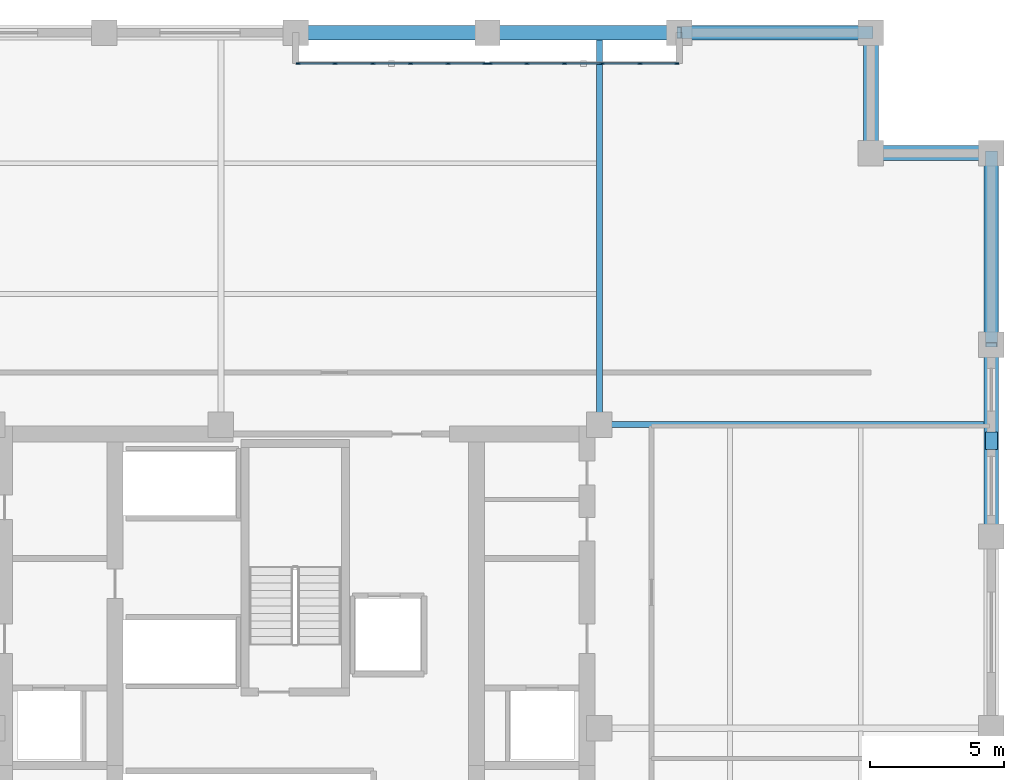
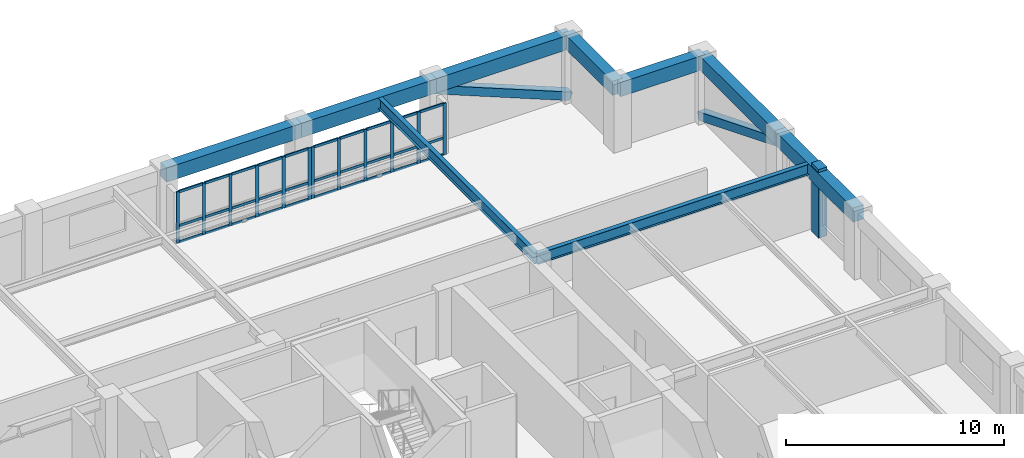
# One storey, part 2 of 11: 45 members, 9 beams, 2 elements without a shape of their own.
"""IFC4 building model written with IfcOpenShell, lengths in metres."""

import ifcopenshell
import ifcopenshell.guid

model = None  # the IFC model being written
_history = None  # IfcOwnerHistory: only IFC2X3 demands one
_inside = {}  # id of a spatial element -> (the spatial element, [elements in it])
_under = {}  # id of a project, library or spatial element -> (it, [spatial elements below it])
_declared = {}  # id of a project -> (the project, [libraries it declares])
_typed = {}  # id of a type object -> (the type object, [elements of that type])
_made_of = {}  # id of a material, layer set ... -> (it, [elements and type objects made of it])


def new_model(schema):
    """Start an empty IFC model of exactly this schema.

    Asked for "IFC4X3", IfcOpenShell would pick the latest addendum, in which some entities
    have other attributes; the version numbers below select the first issue.
    IFC2X3 requires an IfcOwnerHistory on every rooted entity: one is made here for all.
    """
    global model, _history
    if schema == "IFC4X3":
        model = ifcopenshell.file(schema_version=(4, 3, 0, 0))
    else:
        model = ifcopenshell.file(schema=schema)
    _inside.clear()
    _under.clear()
    _declared.clear()
    _typed.clear()
    _made_of.clear()
    _history = None
    if model.schema == "IFC2X3":
        org = make("IfcOrganization", Name="unknown")
        user = make(
            "IfcPersonAndOrganization",
            ThePerson=make("IfcPerson", FamilyName="unknown"),
            TheOrganization=org,
        )
        app = make(
            "IfcApplication",
            ApplicationDeveloper=org,
            Version="unknown",
            ApplicationFullName="unknown",
            ApplicationIdentifier="unknown",
        )
        _history = make(
            "IfcOwnerHistory",
            OwningUser=user,
            OwningApplication=app,
            ChangeAction="ADDED",
            CreationDate=0,
        )
    return model


def make(cls, **values):
    """One entity of the class cls with the attributes given. An attribute that is None is left unset."""
    return model.create_entity(
        cls, **{name: value for name, value in values.items() if value is not None}
    )


def rooted(cls, **values):
    """An entity with a GlobalId (a new one), such as an element, a storey or a relation."""
    return make(cls, GlobalId=ifcopenshell.guid.new(), OwnerHistory=_history, **values)


def si_unit(unit_type, name, prefix=None):
    """IfcSIUnit, for example si_unit("LENGTHUNIT", "METRE", prefix="MILLI")."""
    return make("IfcSIUnit", UnitType=unit_type, Prefix=prefix, Name=name)


def assignment(units):
    """IfcUnitAssignment: the units of a project."""
    return None if units is None else make("IfcUnitAssignment", Units=units)


def point(xyz):
    """IfcCartesianPoint."""
    return None if xyz is None else make("IfcCartesianPoint", Coordinates=xyz)


def direction(xyz):
    """IfcDirection."""
    return None if xyz is None else make("IfcDirection", DirectionRatios=xyz)


def frame(location, z_axis=None, x_axis=None):
    """IfcAxis2Placement3D, a coordinate frame: its origin and axes. An axis left out is left unset."""
    return make(
        "IfcAxis2Placement3D",
        Location=point(location),
        Axis=direction(z_axis),
        RefDirection=direction(x_axis),
    )


def frame_2d(location, x_axis=None):
    """IfcAxis2Placement2D, a coordinate frame in the plane: its origin and x axis."""
    return make(
        "IfcAxis2Placement2D", Location=point(location), RefDirection=direction(x_axis)
    )


def origin():
    """The frame at (0, 0, 0) with its axes left unset."""
    return frame((0.0, 0.0, 0.0))


def origin_2d():
    """The frame at (0, 0) in the plane with its x axis left unset."""
    return frame_2d((0.0, 0.0))


def place(relative_to, where):
    """IfcLocalPlacement: puts the frame where relative to a parent placement (None: the world)."""
    return make(
        "IfcLocalPlacement", PlacementRelTo=relative_to, RelativePlacement=where
    )


def context(
    kind, dimensions, precision=None, world=None, true_north=None, identifier=None
):
    """IfcGeometricRepresentationContext, for example the 3D "Model" context."""
    return make(
        "IfcGeometricRepresentationContext",
        ContextIdentifier=identifier,
        ContextType=kind,
        CoordinateSpaceDimension=dimensions,
        Precision=precision,
        WorldCoordinateSystem=world,
        TrueNorth=true_north,
    )


def subcontext(parent, identifier, kind, view, scale=None):
    """IfcGeometricRepresentationSubContext, for example "Body" below "Model"."""
    return make(
        "IfcGeometricRepresentationSubContext",
        ContextIdentifier=identifier,
        ContextType=kind,
        ParentContext=parent,
        TargetScale=scale,
        TargetView=view,
    )


def project(units=None, contexts=None):
    """IfcProject with its units and contexts."""
    return rooted(
        "IfcProject",
        Name="project",
        RepresentationContexts=contexts,
        UnitsInContext=assignment(units),
    )


def spatial(cls, under=None, at=None, **own):
    """A site, building, storey or space (cls), placed at a placement, below another one or the project."""
    s = rooted(cls, ObjectPlacement=at, **own)
    if under is not None:
        _under.setdefault(under.id(), (under, []))[1].append(s)
    return s


def profile(cls, at=None, kind="AREA", **sizes):
    """A parametric profile (cls). Its sizes go by their IFC names, for example OverallWidth=200.0."""
    return make(cls, ProfileType=kind, Position=at, **sizes)


def rectangle(**sizes):
    """IfcRectangleProfileDef."""
    return profile("IfcRectangleProfileDef", **sizes)


def hollow_rectangle(**sizes):
    """IfcRectangleHollowProfileDef."""
    return profile("IfcRectangleHollowProfileDef", **sizes)


def i_section(**sizes):
    """IfcIShapeProfileDef."""
    return profile("IfcIShapeProfileDef", **sizes)


def extrude(swept, where, along, depth):
    """IfcExtrudedAreaSolid: the profile swept, set in the frame where, extruded along a direction by depth."""
    return make(
        "IfcExtrudedAreaSolid",
        SweptArea=swept,
        Position=where,
        ExtrudedDirection=direction(along),
        Depth=depth,
    )


def shape(context_of_items, identifier, shape_type, items):
    """IfcShapeRepresentation: the items that make up one representation, for example the "Body"."""
    return make(
        "IfcShapeRepresentation",
        ContextOfItems=context_of_items,
        RepresentationIdentifier=identifier,
        RepresentationType=shape_type,
        Items=items,
    )


def material(Name=None, Category=None):
    """IfcMaterial."""
    return make("IfcMaterial", Name=Name, Category=Category)


def layer(
    of_material, thickness, ventilated=None, Name=None, Category=None, Priority=None
):
    """IfcMaterialLayer: one layer of a wall or slab, of a material (None: an air gap)."""
    return make(
        "IfcMaterialLayer",
        Material=of_material,
        LayerThickness=thickness,
        IsVentilated=ventilated,
        Name=Name,
        Category=Category,
        Priority=Priority,
    )


def layer_set(layers, Name=None):
    """IfcMaterialLayerSet."""
    return make("IfcMaterialLayerSet", MaterialLayers=layers, LayerSetName=Name)


def material_profile(
    of_material, cross_section, Name=None, Category=None, Priority=None
):
    """IfcMaterialProfile: a cross section and its material."""
    return make(
        "IfcMaterialProfile",
        Name=Name,
        Material=of_material,
        Profile=cross_section,
        Priority=Priority,
        Category=Category,
    )


def profile_set(profiles, Name=None, composite=None):
    """IfcMaterialProfileSet."""
    return make(
        "IfcMaterialProfileSet",
        Name=Name,
        MaterialProfiles=profiles,
        CompositeProfile=composite,
    )


def made_of(thing, what):
    """Note that an element or type object is made of a material, layer set ...; save() writes the relation."""
    if what is not None:
        _made_of.setdefault(what.id(), (what, []))[1].append(thing)
    return thing


def type_object(cls, material=None, **own):
    """A type object (cls), such as IfcWallType, which elements share."""
    return made_of(rooted(cls, **own), material)


def element(
    cls,
    number,
    at=None,
    inside=None,
    cuts=None,
    type_object=None,
    material=None,
    context=None,
    identifier="Body",
    shape_type=None,
    held_by="IfcProductDefinitionShape",
    body=None,
    shapes=None,
    **own,
):
    """One element of the class cls, such as IfcWall. Its Tag is "e" and its number.

    at: its placement. inside: the storey or other place that contains it. cuts: it is an
    opening in that element (IfcRelVoidsElement). A single representation is given by context,
    identifier, shape_type and body (its items); several are given by shapes. held_by: the class
    of the entity that holds the representations. save() writes the other relations.
    """
    e = rooted(cls, Tag="e%d" % number, ObjectPlacement=at, **own)
    if body is not None:
        shapes = [shape(context, identifier, shape_type, body)]
    if shapes is not None:
        e.Representation = make(held_by, Representations=shapes)
    if inside is not None:
        _inside.setdefault(inside.id(), (inside, []))[1].append(e)
    if cuts is not None:
        rooted(
            "IfcRelVoidsElement", RelatingBuildingElement=cuts, RelatedOpeningElement=e
        )
    if type_object is not None:
        _typed.setdefault(type_object.id(), (type_object, []))[1].append(e)
    return made_of(e, material)


def aggregate(whole, parts):
    """IfcRelAggregates: a whole, such as a stair, and the parts it consists of."""
    return rooted("IfcRelAggregates", RelatingObject=whole, RelatedObjects=parts)


def save(model, path):
    """Write the relations noted so far, then the file.

    IfcRelAggregates (storeys below a building ...), IfcRelContainedInSpatialStructure (elements
    in a storey), IfcRelDefinesByType, IfcRelAssociatesMaterial and IfcRelDeclares: one each for
    every whole, place, type object, material and project.
    """
    for whole, parts in _under.values():
        aggregate(whole, parts)
    for where, things in _inside.values():
        rooted(
            "IfcRelContainedInSpatialStructure",
            RelatedElements=things,
            RelatingStructure=where,
        )
    for kind, things in _typed.values():
        rooted("IfcRelDefinesByType", RelatedObjects=things, RelatingType=kind)
    for what, things in _made_of.values():
        rooted("IfcRelAssociatesMaterial", RelatedObjects=things, RelatingMaterial=what)
    for by, libraries in _declared.values():
        rooted("IfcRelDeclares", RelatingContext=by, RelatedDefinitions=libraries)
    model.write(path)


model = new_model("IFC4")

# Units and contexts
model_context = context("Model", 3, precision=1e-05, world=origin(), true_north=direction((0.0, 1.0)))
body_context = subcontext(model_context, "Body", "Model", "MODEL_VIEW")
ifc_project = project(units=[si_unit("LENGTHUNIT", "METRE"), si_unit("AREAUNIT", "SQUARE_METRE"), si_unit("VOLUMEUNIT", "CUBIC_METRE"), si_unit("PLANEANGLEUNIT", "RADIAN"), si_unit("MASSUNIT", "GRAM", prefix="KILO")], contexts=[model_context])

# Site, building, storey
site_placement = place(None, origin())
site = spatial("IfcSite", under=ifc_project, at=site_placement, CompositionType="ELEMENT")
building_placement = place(site_placement, origin())
building = spatial("IfcBuilding", under=site, at=building_placement, Name="Nhamokura Convention Tower", CompositionType="ELEMENT")
storey_placement = place(building_placement, frame((0.0, 0.0, 133.699951171875)))
storey = spatial("IfcBuildingStorey", under=building, at=storey_placement, Name="L32", CompositionType="ELEMENT", Elevation=133.699951171875)

# Member
ifc_material_1 = material(Name="Bronze-pigmented precast concrete C45/55", Category="concrete")
ifc_material_profile_1 = material_profile(ifc_material_1, rectangle(XDim=0.449951171875, YDim=0.64990234375, at=origin_2d()))
ifc_profile_set_1 = profile_set([ifc_material_profile_1], Name="Bronze-pigmented precast concrete C45/55")
member_type_1 = type_object("IfcMemberType", Name="BronzePilaster_650", PredefinedType="USERDEFINED", material=ifc_profile_set_1)
member_1_placement = place(storey_placement, frame((58.0, 42.75, 0.0), z_axis=(0.0, 0.0, 1.0), x_axis=(1.0, 0.0, 0.0)))
element("IfcMember", 1, at=member_1_placement, inside=storey, type_object=member_type_1, Name="L32 Engaged Frame Pilaster EAST 4", ObjectType="PILASTER_TRIM", PredefinedType="USERDEFINED", context=body_context, shape_type="SweptSolid", body=[
    extrude(rectangle(XDim=0.449951171875, YDim=0.64990234375, at=origin_2d()), origin(), (0.0, 0.0, 1.0), 3.85009765625),
])

# Curtain wall, members
ifc_material_2 = material(Name="Anodised bronze aluminium AA6063-T6", Category="aluminium")
ifc_layer = layer(ifc_material_2, 0.159912109375)
ifc_layer_set = layer_set([ifc_layer], Name="CWSystem_ScaleSlot_Zone2")
curtain_wall_type = type_object("IfcCurtainWallType", Name="CWSystem_ScaleSlot_Zone2", PredefinedType="NOTDEFINED", material=ifc_layer_set)
curtain_wall_1_placement = place(storey_placement, origin())
curtain_wall_1 = element("IfcCurtainWall", 2, at=curtain_wall_1_placement, inside=storey, type_object=curtain_wall_type, Name="L32 Curtain Wall ENV-L32-SLOT-N3", PredefinedType="NOTDEFINED")
ifc_material_3 = material(Name="Anodised bronze aluminium AA6063-T6", Category="aluminium")
ifc_material_profile_2 = material_profile(ifc_material_3, rectangle(XDim=0.06494140625, YDim=0.1650390625, at=origin_2d()))
ifc_profile_set_2 = profile_set([ifc_material_profile_2], Name="Anodised bronze aluminium AA6063-T6")
member_type_2 = type_object("IfcMemberType", Name="CWMullion_3", PredefinedType="MULLION", material=ifc_profile_set_2)
member_2_placement = place(storey_placement, frame((32.092529296875, 56.85009765625, 0.0), z_axis=(0.0, 0.0, 1.0), x_axis=(0.0, 1.0, 0.0)))
member_2 = element("IfcMember", 3, at=member_2_placement, type_object=member_type_2, Name="CW-04 mullion 1", PredefinedType="MULLION", context=body_context, shape_type="SweptSolid", body=[
    extrude(rectangle(XDim=0.06494140625, YDim=0.1650390625, at=origin_2d()), origin(), (0.0, 0.0, 1.0), 2.885009765625),
])
member_3_placement = place(storey_placement, frame((33.46923828125, 56.85009765625, 0.0), z_axis=(0.0, 0.0, 1.0), x_axis=(0.0, 1.0, 0.0)))
member_3 = element("IfcMember", 4, at=member_3_placement, type_object=member_type_2, Name="CW-04 mullion 2", PredefinedType="MULLION", context=body_context, shape_type="SweptSolid", body=[
    extrude(rectangle(XDim=0.06494140625, YDim=0.1650390625, at=origin_2d()), origin(), (0.0, 0.0, 1.0), 2.885009765625),
])
member_4_placement = place(storey_placement, frame((34.878662109375, 56.85009765625, 0.0), z_axis=(0.0, 0.0, 1.0), x_axis=(0.0, 1.0, 0.0)))
member_4 = element("IfcMember", 5, at=member_4_placement, type_object=member_type_2, Name="CW-04 mullion 3", PredefinedType="MULLION", context=body_context, shape_type="SweptSolid", body=[
    extrude(rectangle(XDim=0.06494140625, YDim=0.1650390625, at=origin_2d()), origin(), (0.0, 0.0, 1.0), 2.885009765625),
])
member_5_placement = place(storey_placement, frame((36.2880859375, 56.85009765625, 0.0), z_axis=(0.0, 0.0, 1.0), x_axis=(0.0, 1.0, 0.0)))
member_5 = element("IfcMember", 6, at=member_5_placement, type_object=member_type_2, Name="CW-04 mullion 4", PredefinedType="MULLION", context=body_context, shape_type="SweptSolid", body=[
    extrude(rectangle(XDim=0.06494140625, YDim=0.1650390625, at=origin_2d()), origin(), (0.0, 0.0, 1.0), 2.885009765625),
])
member_6_placement = place(storey_placement, frame((37.697265625, 56.85009765625, 0.0), z_axis=(0.0, 0.0, 1.0), x_axis=(0.0, 1.0, 0.0)))
member_6 = element("IfcMember", 7, at=member_6_placement, type_object=member_type_2, Name="CW-04 mullion 5", PredefinedType="MULLION", context=body_context, shape_type="SweptSolid", body=[
    extrude(rectangle(XDim=0.06494140625, YDim=0.1650390625, at=origin_2d()), origin(), (0.0, 0.0, 1.0), 2.885009765625),
])
member_7_placement = place(storey_placement, frame((39.07421875, 56.85009765625, 0.0), z_axis=(0.0, 0.0, 1.0), x_axis=(0.0, 1.0, 0.0)))
member_7 = element("IfcMember", 8, at=member_7_placement, type_object=member_type_2, Name="CW-04 mullion 6", PredefinedType="MULLION", context=body_context, shape_type="SweptSolid", body=[
    extrude(rectangle(XDim=0.06494140625, YDim=0.1650390625, at=origin_2d()), origin(), (0.0, 0.0, 1.0), 2.885009765625),
])

curtain_wall_2_placement = place(storey_placement, origin())
curtain_wall_2 = element("IfcCurtainWall", 9, at=curtain_wall_2_placement, inside=storey, type_object=curtain_wall_type, Name="L32 Curtain Wall ENV-L32-SLOT-N4", PredefinedType="NOTDEFINED")
member_8_placement = place(storey_placement, frame((39.25927734375, 56.85009765625, 0.0), z_axis=(0.0, 0.0, 1.0), x_axis=(0.0, 1.0, 0.0)))
member_8 = element("IfcMember", 10, at=member_8_placement, type_object=member_type_2, Name="CW-04 mullion 1", PredefinedType="MULLION", context=body_context, shape_type="SweptSolid", body=[
    extrude(rectangle(XDim=0.06494140625, YDim=0.1650390625, at=origin_2d()), origin(), (0.0, 0.0, 1.0), 2.885009765625),
])
member_9_placement = place(storey_placement, frame((40.635986328125, 56.85009765625, 0.0), z_axis=(0.0, 0.0, 1.0), x_axis=(0.0, 1.0, 0.0)))
member_9 = element("IfcMember", 11, at=member_9_placement, type_object=member_type_2, Name="CW-04 mullion 2", PredefinedType="MULLION", context=body_context, shape_type="SweptSolid", body=[
    extrude(rectangle(XDim=0.06494140625, YDim=0.1650390625, at=origin_2d()), origin(), (0.0, 0.0, 1.0), 2.885009765625),
])
member_10_placement = place(storey_placement, frame((42.04541015625, 56.85009765625, 0.0), z_axis=(0.0, 0.0, 1.0), x_axis=(0.0, 1.0, 0.0)))
member_10 = element("IfcMember", 12, at=member_10_placement, type_object=member_type_2, Name="CW-04 mullion 3", PredefinedType="MULLION", context=body_context, shape_type="SweptSolid", body=[
    extrude(rectangle(XDim=0.06494140625, YDim=0.1650390625, at=origin_2d()), origin(), (0.0, 0.0, 1.0), 2.885009765625),
])
member_11_placement = place(storey_placement, frame((43.45458984375, 56.85009765625, 0.0), z_axis=(0.0, 0.0, 1.0), x_axis=(0.0, 1.0, 0.0)))
member_11 = element("IfcMember", 13, at=member_11_placement, type_object=member_type_2, Name="CW-04 mullion 4", PredefinedType="MULLION", context=body_context, shape_type="SweptSolid", body=[
    extrude(rectangle(XDim=0.06494140625, YDim=0.1650390625, at=origin_2d()), origin(), (0.0, 0.0, 1.0), 2.885009765625),
])
member_12_placement = place(storey_placement, frame((44.864013671875, 56.85009765625, 0.0), z_axis=(0.0, 0.0, 1.0), x_axis=(0.0, 1.0, 0.0)))
member_12 = element("IfcMember", 14, at=member_12_placement, type_object=member_type_2, Name="CW-04 mullion 5", PredefinedType="MULLION", context=body_context, shape_type="SweptSolid", body=[
    extrude(rectangle(XDim=0.06494140625, YDim=0.1650390625, at=origin_2d()), origin(), (0.0, 0.0, 1.0), 2.885009765625),
])
member_13_placement = place(storey_placement, frame((46.24072265625, 56.85009765625, 0.0), z_axis=(0.0, 0.0, 1.0), x_axis=(0.0, 1.0, 0.0)))
member_13 = element("IfcMember", 15, at=member_13_placement, type_object=member_type_2, Name="CW-04 mullion 6", PredefinedType="MULLION", context=body_context, shape_type="SweptSolid", body=[
    extrude(rectangle(XDim=0.06494140625, YDim=0.1650390625, at=origin_2d()), origin(), (0.0, 0.0, 1.0), 2.885009765625),
])

# Member
ifc_material_4 = material(Name="Anodised bronze aluminium AA6063-T6", Category="aluminium")
ifc_material_profile_3 = material_profile(ifc_material_4, rectangle(XDim=0.06494140625, YDim=0.139892578125, at=origin_2d()))
ifc_profile_set_3 = profile_set([ifc_material_profile_3], Name="Anodised bronze aluminium AA6063-T6")
member_type_3 = type_object("IfcMemberType", Name="CWTransom_3", PredefinedType="USERDEFINED", material=ifc_profile_set_3)
member_14_placement = place(storey_placement, frame((32.125, 56.85009765625, 0.032470703125), z_axis=(1.0, 0.0, 0.0), x_axis=(0.0, 1.0, 0.0)))
member_14 = element("IfcMember", 16, at=member_14_placement, type_object=member_type_3, Name="CW-04 transom 1.1", ObjectType="TRANSOM", PredefinedType="USERDEFINED", context=body_context, shape_type="SweptSolid", body=[
    extrude(rectangle(XDim=0.06494140625, YDim=0.139892578125, at=origin_2d()), origin(), (0.0, 0.0, 1.0), 1.311767578125),
])

member_15_placement = place(storey_placement, frame((32.125, 56.85009765625, 0.949951171875), z_axis=(1.0, 0.0, 0.0), x_axis=(0.0, 1.0, 0.0)))
member_15 = element("IfcMember", 17, at=member_15_placement, type_object=member_type_3, Name="CW-04 transom 1.2", ObjectType="TRANSOM", PredefinedType="USERDEFINED", context=body_context, shape_type="SweptSolid", body=[
    extrude(rectangle(XDim=0.06494140625, YDim=0.139892578125, at=origin_2d()), origin(), (0.0, 0.0, 1.0), 1.311767578125),
])

member_16_placement = place(storey_placement, frame((32.125, 56.85009765625, 2.8525390625), z_axis=(1.0, 0.0, 0.0), x_axis=(0.0, 1.0, 0.0)))
member_16 = element("IfcMember", 18, at=member_16_placement, type_object=member_type_3, Name="CW-04 transom 1.3", ObjectType="TRANSOM", PredefinedType="USERDEFINED", context=body_context, shape_type="SweptSolid", body=[
    extrude(rectangle(XDim=0.06494140625, YDim=0.139892578125, at=origin_2d()), origin(), (0.0, 0.0, 1.0), 1.311767578125),
])

member_17_placement = place(storey_placement, frame((33.501953125, 56.85009765625, 0.032470703125), z_axis=(1.0, 0.0, 0.0), x_axis=(0.0, 1.0, 0.0)))
member_17 = element("IfcMember", 19, at=member_17_placement, type_object=member_type_3, Name="CW-04 transom 2.1", ObjectType="TRANSOM", PredefinedType="USERDEFINED", context=body_context, shape_type="SweptSolid", body=[
    extrude(rectangle(XDim=0.06494140625, YDim=0.139892578125, at=origin_2d()), origin(), (0.0, 0.0, 1.0), 1.34423828125),
])

member_18_placement = place(storey_placement, frame((33.501953125, 56.85009765625, 0.949951171875), z_axis=(1.0, 0.0, 0.0), x_axis=(0.0, 1.0, 0.0)))
member_18 = element("IfcMember", 20, at=member_18_placement, type_object=member_type_3, Name="CW-04 transom 2.2", ObjectType="TRANSOM", PredefinedType="USERDEFINED", context=body_context, shape_type="SweptSolid", body=[
    extrude(rectangle(XDim=0.06494140625, YDim=0.139892578125, at=origin_2d()), origin(), (0.0, 0.0, 1.0), 1.34423828125),
])

member_19_placement = place(storey_placement, frame((33.501953125, 56.85009765625, 2.8525390625), z_axis=(1.0, 0.0, 0.0), x_axis=(0.0, 1.0, 0.0)))
member_19 = element("IfcMember", 21, at=member_19_placement, type_object=member_type_3, Name="CW-04 transom 2.3", ObjectType="TRANSOM", PredefinedType="USERDEFINED", context=body_context, shape_type="SweptSolid", body=[
    extrude(rectangle(XDim=0.06494140625, YDim=0.139892578125, at=origin_2d()), origin(), (0.0, 0.0, 1.0), 1.34423828125),
])

member_20_placement = place(storey_placement, frame((34.9111328125, 56.85009765625, 0.032470703125), z_axis=(1.0, 0.0, 0.0), x_axis=(0.0, 1.0, 0.0)))
member_20 = element("IfcMember", 22, at=member_20_placement, type_object=member_type_3, Name="CW-04 transom 3.1", ObjectType="TRANSOM", PredefinedType="USERDEFINED", context=body_context, shape_type="SweptSolid", body=[
    extrude(rectangle(XDim=0.06494140625, YDim=0.139892578125, at=origin_2d()), origin(), (0.0, 0.0, 1.0), 1.344482421875),
])

member_21_placement = place(storey_placement, frame((34.9111328125, 56.85009765625, 0.949951171875), z_axis=(1.0, 0.0, 0.0), x_axis=(0.0, 1.0, 0.0)))
member_21 = element("IfcMember", 23, at=member_21_placement, type_object=member_type_3, Name="CW-04 transom 3.2", ObjectType="TRANSOM", PredefinedType="USERDEFINED", context=body_context, shape_type="SweptSolid", body=[
    extrude(rectangle(XDim=0.06494140625, YDim=0.139892578125, at=origin_2d()), origin(), (0.0, 0.0, 1.0), 1.344482421875),
])

member_22_placement = place(storey_placement, frame((34.9111328125, 56.85009765625, 2.8525390625), z_axis=(1.0, 0.0, 0.0), x_axis=(0.0, 1.0, 0.0)))
member_22 = element("IfcMember", 24, at=member_22_placement, type_object=member_type_3, Name="CW-04 transom 3.3", ObjectType="TRANSOM", PredefinedType="USERDEFINED", context=body_context, shape_type="SweptSolid", body=[
    extrude(rectangle(XDim=0.06494140625, YDim=0.139892578125, at=origin_2d()), origin(), (0.0, 0.0, 1.0), 1.344482421875),
])

member_23_placement = place(storey_placement, frame((36.320556640625, 56.85009765625, 0.032470703125), z_axis=(1.0, 0.0, 0.0), x_axis=(0.0, 1.0, 0.0)))
member_23 = element("IfcMember", 25, at=member_23_placement, type_object=member_type_3, Name="CW-04 transom 4.1", ObjectType="TRANSOM", PredefinedType="USERDEFINED", context=body_context, shape_type="SweptSolid", body=[
    extrude(rectangle(XDim=0.06494140625, YDim=0.139892578125, at=origin_2d()), origin(), (0.0, 0.0, 1.0), 1.34423828125),
])

member_24_placement = place(storey_placement, frame((36.320556640625, 56.85009765625, 0.949951171875), z_axis=(1.0, 0.0, 0.0), x_axis=(0.0, 1.0, 0.0)))
member_24 = element("IfcMember", 26, at=member_24_placement, type_object=member_type_3, Name="CW-04 transom 4.2", ObjectType="TRANSOM", PredefinedType="USERDEFINED", context=body_context, shape_type="SweptSolid", body=[
    extrude(rectangle(XDim=0.06494140625, YDim=0.139892578125, at=origin_2d()), origin(), (0.0, 0.0, 1.0), 1.34423828125),
])

member_25_placement = place(storey_placement, frame((36.320556640625, 56.85009765625, 2.8525390625), z_axis=(1.0, 0.0, 0.0), x_axis=(0.0, 1.0, 0.0)))
member_25 = element("IfcMember", 27, at=member_25_placement, type_object=member_type_3, Name="CW-04 transom 4.3", ObjectType="TRANSOM", PredefinedType="USERDEFINED", context=body_context, shape_type="SweptSolid", body=[
    extrude(rectangle(XDim=0.06494140625, YDim=0.139892578125, at=origin_2d()), origin(), (0.0, 0.0, 1.0), 1.34423828125),
])

member_26_placement = place(storey_placement, frame((37.72998046875, 56.85009765625, 0.032470703125), z_axis=(1.0, 0.0, 0.0), x_axis=(0.0, 1.0, 0.0)))
member_26 = element("IfcMember", 28, at=member_26_placement, type_object=member_type_3, Name="CW-04 transom 5.1", ObjectType="TRANSOM", PredefinedType="USERDEFINED", context=body_context, shape_type="SweptSolid", body=[
    extrude(rectangle(XDim=0.06494140625, YDim=0.139892578125, at=origin_2d()), origin(), (0.0, 0.0, 1.0), 1.311767578125),
])

member_27_placement = place(storey_placement, frame((37.72998046875, 56.85009765625, 0.949951171875), z_axis=(1.0, 0.0, 0.0), x_axis=(0.0, 1.0, 0.0)))
member_27 = element("IfcMember", 29, at=member_27_placement, type_object=member_type_3, Name="CW-04 transom 5.2", ObjectType="TRANSOM", PredefinedType="USERDEFINED", context=body_context, shape_type="SweptSolid", body=[
    extrude(rectangle(XDim=0.06494140625, YDim=0.139892578125, at=origin_2d()), origin(), (0.0, 0.0, 1.0), 1.311767578125),
])

member_28_placement = place(storey_placement, frame((37.72998046875, 56.85009765625, 2.8525390625), z_axis=(1.0, 0.0, 0.0), x_axis=(0.0, 1.0, 0.0)))
member_28 = element("IfcMember", 30, at=member_28_placement, type_object=member_type_3, Name="CW-04 transom 5.3", ObjectType="TRANSOM", PredefinedType="USERDEFINED", context=body_context, shape_type="SweptSolid", body=[
    extrude(rectangle(XDim=0.06494140625, YDim=0.139892578125, at=origin_2d()), origin(), (0.0, 0.0, 1.0), 1.311767578125),
])

aggregate(curtain_wall_1, [member_2, member_3, member_4, member_5, member_6, member_7, member_14, member_15, member_16, member_17, member_18, member_19, member_20, member_21, member_22, member_23, member_24, member_25, member_26, member_27, member_28])

member_29_placement = place(storey_placement, frame((39.291748046875, 56.85009765625, 0.032470703125), z_axis=(1.0, 0.0, 0.0), x_axis=(0.0, 1.0, 0.0)))
member_29 = element("IfcMember", 31, at=member_29_placement, type_object=member_type_3, Name="CW-04 transom 1.1", ObjectType="TRANSOM", PredefinedType="USERDEFINED", context=body_context, shape_type="SweptSolid", body=[
    extrude(rectangle(XDim=0.06494140625, YDim=0.139892578125, at=origin_2d()), origin(), (0.0, 0.0, 1.0), 1.311767578125),
])

member_30_placement = place(storey_placement, frame((39.291748046875, 56.85009765625, 0.949951171875), z_axis=(1.0, 0.0, 0.0), x_axis=(0.0, 1.0, 0.0)))
member_30 = element("IfcMember", 32, at=member_30_placement, type_object=member_type_3, Name="CW-04 transom 1.2", ObjectType="TRANSOM", PredefinedType="USERDEFINED", context=body_context, shape_type="SweptSolid", body=[
    extrude(rectangle(XDim=0.06494140625, YDim=0.139892578125, at=origin_2d()), origin(), (0.0, 0.0, 1.0), 1.311767578125),
])

member_31_placement = place(storey_placement, frame((39.291748046875, 56.85009765625, 2.8525390625), z_axis=(1.0, 0.0, 0.0), x_axis=(0.0, 1.0, 0.0)))
member_31 = element("IfcMember", 33, at=member_31_placement, type_object=member_type_3, Name="CW-04 transom 1.3", ObjectType="TRANSOM", PredefinedType="USERDEFINED", context=body_context, shape_type="SweptSolid", body=[
    extrude(rectangle(XDim=0.06494140625, YDim=0.139892578125, at=origin_2d()), origin(), (0.0, 0.0, 1.0), 1.311767578125),
])

member_32_placement = place(storey_placement, frame((40.66845703125, 56.85009765625, 0.032470703125), z_axis=(1.0, 0.0, 0.0), x_axis=(0.0, 1.0, 0.0)))
member_32 = element("IfcMember", 34, at=member_32_placement, type_object=member_type_3, Name="CW-04 transom 2.1", ObjectType="TRANSOM", PredefinedType="USERDEFINED", context=body_context, shape_type="SweptSolid", body=[
    extrude(rectangle(XDim=0.06494140625, YDim=0.139892578125, at=origin_2d()), origin(), (0.0, 0.0, 1.0), 1.344482421875),
])

member_33_placement = place(storey_placement, frame((40.66845703125, 56.85009765625, 0.949951171875), z_axis=(1.0, 0.0, 0.0), x_axis=(0.0, 1.0, 0.0)))
member_33 = element("IfcMember", 35, at=member_33_placement, type_object=member_type_3, Name="CW-04 transom 2.2", ObjectType="TRANSOM", PredefinedType="USERDEFINED", context=body_context, shape_type="SweptSolid", body=[
    extrude(rectangle(XDim=0.06494140625, YDim=0.139892578125, at=origin_2d()), origin(), (0.0, 0.0, 1.0), 1.344482421875),
])

member_34_placement = place(storey_placement, frame((40.66845703125, 56.85009765625, 2.8525390625), z_axis=(1.0, 0.0, 0.0), x_axis=(0.0, 1.0, 0.0)))
member_34 = element("IfcMember", 36, at=member_34_placement, type_object=member_type_3, Name="CW-04 transom 2.3", ObjectType="TRANSOM", PredefinedType="USERDEFINED", context=body_context, shape_type="SweptSolid", body=[
    extrude(rectangle(XDim=0.06494140625, YDim=0.139892578125, at=origin_2d()), origin(), (0.0, 0.0, 1.0), 1.344482421875),
])

member_35_placement = place(storey_placement, frame((42.077880859375, 56.85009765625, 0.032470703125), z_axis=(1.0, 0.0, 0.0), x_axis=(0.0, 1.0, 0.0)))
member_35 = element("IfcMember", 37, at=member_35_placement, type_object=member_type_3, Name="CW-04 transom 3.1", ObjectType="TRANSOM", PredefinedType="USERDEFINED", context=body_context, shape_type="SweptSolid", body=[
    extrude(rectangle(XDim=0.06494140625, YDim=0.139892578125, at=origin_2d()), origin(), (0.0, 0.0, 1.0), 1.34423828125),
])

member_36_placement = place(storey_placement, frame((42.077880859375, 56.85009765625, 0.949951171875), z_axis=(1.0, 0.0, 0.0), x_axis=(0.0, 1.0, 0.0)))
member_36 = element("IfcMember", 38, at=member_36_placement, type_object=member_type_3, Name="CW-04 transom 3.2", ObjectType="TRANSOM", PredefinedType="USERDEFINED", context=body_context, shape_type="SweptSolid", body=[
    extrude(rectangle(XDim=0.06494140625, YDim=0.139892578125, at=origin_2d()), origin(), (0.0, 0.0, 1.0), 1.34423828125),
])

member_37_placement = place(storey_placement, frame((42.077880859375, 56.85009765625, 2.8525390625), z_axis=(1.0, 0.0, 0.0), x_axis=(0.0, 1.0, 0.0)))
member_37 = element("IfcMember", 39, at=member_37_placement, type_object=member_type_3, Name="CW-04 transom 3.3", ObjectType="TRANSOM", PredefinedType="USERDEFINED", context=body_context, shape_type="SweptSolid", body=[
    extrude(rectangle(XDim=0.06494140625, YDim=0.139892578125, at=origin_2d()), origin(), (0.0, 0.0, 1.0), 1.34423828125),
])

member_38_placement = place(storey_placement, frame((43.487060546875, 56.85009765625, 0.032470703125), z_axis=(1.0, 0.0, 0.0), x_axis=(0.0, 1.0, 0.0)))
member_38 = element("IfcMember", 40, at=member_38_placement, type_object=member_type_3, Name="CW-04 transom 4.1", ObjectType="TRANSOM", PredefinedType="USERDEFINED", context=body_context, shape_type="SweptSolid", body=[
    extrude(rectangle(XDim=0.06494140625, YDim=0.139892578125, at=origin_2d()), origin(), (0.0, 0.0, 1.0), 1.344482421875),
])

member_39_placement = place(storey_placement, frame((43.487060546875, 56.85009765625, 0.949951171875), z_axis=(1.0, 0.0, 0.0), x_axis=(0.0, 1.0, 0.0)))
member_39 = element("IfcMember", 41, at=member_39_placement, type_object=member_type_3, Name="CW-04 transom 4.2", ObjectType="TRANSOM", PredefinedType="USERDEFINED", context=body_context, shape_type="SweptSolid", body=[
    extrude(rectangle(XDim=0.06494140625, YDim=0.139892578125, at=origin_2d()), origin(), (0.0, 0.0, 1.0), 1.344482421875),
])

member_40_placement = place(storey_placement, frame((43.487060546875, 56.85009765625, 2.8525390625), z_axis=(1.0, 0.0, 0.0), x_axis=(0.0, 1.0, 0.0)))
member_40 = element("IfcMember", 42, at=member_40_placement, type_object=member_type_3, Name="CW-04 transom 4.3", ObjectType="TRANSOM", PredefinedType="USERDEFINED", context=body_context, shape_type="SweptSolid", body=[
    extrude(rectangle(XDim=0.06494140625, YDim=0.139892578125, at=origin_2d()), origin(), (0.0, 0.0, 1.0), 1.344482421875),
])

member_41_placement = place(storey_placement, frame((44.896484375, 56.85009765625, 0.032470703125), z_axis=(1.0, 0.0, 0.0), x_axis=(0.0, 1.0, 0.0)))
member_41 = element("IfcMember", 43, at=member_41_placement, type_object=member_type_3, Name="CW-04 transom 5.1", ObjectType="TRANSOM", PredefinedType="USERDEFINED", context=body_context, shape_type="SweptSolid", body=[
    extrude(rectangle(XDim=0.06494140625, YDim=0.139892578125, at=origin_2d()), origin(), (0.0, 0.0, 1.0), 1.311767578125),
])

member_42_placement = place(storey_placement, frame((44.896484375, 56.85009765625, 0.949951171875), z_axis=(1.0, 0.0, 0.0), x_axis=(0.0, 1.0, 0.0)))
member_42 = element("IfcMember", 44, at=member_42_placement, type_object=member_type_3, Name="CW-04 transom 5.2", ObjectType="TRANSOM", PredefinedType="USERDEFINED", context=body_context, shape_type="SweptSolid", body=[
    extrude(rectangle(XDim=0.06494140625, YDim=0.139892578125, at=origin_2d()), origin(), (0.0, 0.0, 1.0), 1.311767578125),
])

member_43_placement = place(storey_placement, frame((44.896484375, 56.85009765625, 2.8525390625), z_axis=(1.0, 0.0, 0.0), x_axis=(0.0, 1.0, 0.0)))
member_43 = element("IfcMember", 45, at=member_43_placement, type_object=member_type_3, Name="CW-04 transom 5.3", ObjectType="TRANSOM", PredefinedType="USERDEFINED", context=body_context, shape_type="SweptSolid", body=[
    extrude(rectangle(XDim=0.06494140625, YDim=0.139892578125, at=origin_2d()), origin(), (0.0, 0.0, 1.0), 1.311767578125),
])

aggregate(curtain_wall_2, [member_8, member_9, member_10, member_11, member_12, member_13, member_29, member_30, member_31, member_32, member_33, member_34, member_35, member_36, member_37, member_38, member_39, member_40, member_41, member_42, member_43])

# Beams
ifc_material_5 = material(Name="Steel ASTM A992 Gr 50", Category="steel")
ifc_material_profile_4 = material_profile(ifc_material_5, i_section(OverallWidth=0.22802734375, OverallDepth=0.60791015625, WebThickness=0.01123046875, FlangeThickness=0.017333984375, at=origin_2d()))
ifc_profile_set_4 = profile_set([ifc_material_profile_4], Name="Steel ASTM A992 Gr 50")
beam_type_1 = type_object("IfcBeamType", Name="PrimaryGirder_W610X113", PredefinedType="BEAM", material=ifc_profile_set_4)
for number, where, z_axis, x_axis, name in (
    (46, (43.35009765625, 43.35009765625, 3.381103515625), (0.0, 1.0, 0.0), (-1.0, 0.0, 0.0), "L32 Primary Floor Girder PG-N3"),
    (47, (43.35009765625, 43.35009765625, 3.381103515625), (1.0, 0.0, 0.0), (0.0, 1.0, 0.0), "L32 Primary Floor Girder PG-E3"),
):
    element("IfcBeam", number, at=place(storey_placement, frame(where, z_axis=z_axis, x_axis=x_axis)), inside=storey, type_object=beam_type_1, Name=name, PredefinedType="BEAM", context=body_context, shape_type="SweptSolid", body=[
        extrude(i_section(OverallWidth=0.22802734375, OverallDepth=0.60791015625, WebThickness=0.01123046875, FlangeThickness=0.017333984375, at=origin_2d()), origin(), (0.0, 0.0, 1.0), 14.64990234375),
    ])

# Members
ifc_material_6 = material(Name="Steel ASTM A572 Gr 50", Category="steel")
ifc_material_profile_5 = material_profile(ifc_material_6, hollow_rectangle(XDim=0.449951171875, YDim=0.449951171875, WallThickness=0.02197265625, at=origin_2d()))
ifc_profile_set_5 = profile_set([ifc_material_profile_5], Name="Steel ASTM A572 Gr 50")
member_type_4 = type_object("IfcMemberType", Name="TubeBrace_HSS450", PredefinedType="BRACE", material=ifc_profile_set_5)
for number, where, z_axis, x_axis, name in (
    (48, (53.5, 58.0, 0.150146484375), (-0.927657166893, 0.0, 0.373432966826), (0.0, -1.0, 0.0), "L32 Perimeter Tube Brace NORTH Bay 5"),
    (49, (58.0, 53.5, 0.150146484375), (0.0, -0.927657166893, 0.373432966826), (1.0, 0.0, 0.0), "L32 Perimeter Tube Brace EAST Bay 5"),
):
    element("IfcMember", number, at=place(storey_placement, frame(where, z_axis=z_axis, x_axis=x_axis)), inside=storey, type_object=member_type_4, Name=name, PredefinedType="BRACE", context=body_context, shape_type="SweptSolid", body=[
        extrude(hollow_rectangle(XDim=0.449951171875, YDim=0.449951171875, WallThickness=0.02197265625, at=origin_2d()), origin(), (0.0, 0.0, 1.0), 7.7255859375),
    ])

# Beams
ifc_material_7 = material(Name="Concrete C50/60", Category="concrete")
ifc_material_profile_6 = material_profile(ifc_material_7, rectangle(XDim=0.550048828125, YDim=0.800048828125, at=origin_2d()))
ifc_profile_set_6 = profile_set([ifc_material_profile_6], Name="Concrete C50/60")
beam_type_2 = type_object("IfcBeamType", Name="TubeSpandrel_800", PredefinedType="SPANDREL", material=ifc_profile_set_6)
beam_1_placement = place(storey_placement, frame((32.0, 58.0, 3.28515625), z_axis=(1.0, 0.0, 0.0), x_axis=(0.0, 1.0, 0.0)))
element("IfcBeam", 50, at=beam_1_placement, inside=storey, type_object=beam_type_2, Name="L32 Perimeter Spandrel NORTH 4", PredefinedType="SPANDREL", context=body_context, shape_type="SweptSolid", body=[
    extrude(rectangle(XDim=0.550048828125, YDim=0.800048828125, at=origin_2d()), origin(), (0.0, 0.0, 1.0), 7.166748046875),
])
beam_2_placement = place(storey_placement, frame((39.166748046875, 58.0, 3.28515625), z_axis=(1.0, 0.0, 0.0), x_axis=(0.0, 1.0, 0.0)))
element("IfcBeam", 51, at=beam_2_placement, inside=storey, type_object=beam_type_2, Name="L32 Perimeter Spandrel NORTH 5", PredefinedType="SPANDREL", context=body_context, shape_type="SweptSolid", body=[
    extrude(rectangle(XDim=0.550048828125, YDim=0.800048828125, at=origin_2d()), origin(), (0.0, 0.0, 1.0), 7.16650390625),
])
beam_3_placement = place(storey_placement, frame((46.333251953125, 58.0, 3.28515625), z_axis=(1.0, 0.0, 0.0), x_axis=(0.0, 1.0, 0.0)))
element("IfcBeam", 52, at=beam_3_placement, inside=storey, type_object=beam_type_2, Name="L32 Perimeter Spandrel NORTH 6", PredefinedType="SPANDREL", context=body_context, shape_type="SweptSolid", body=[
    extrude(rectangle(XDim=0.550048828125, YDim=0.800048828125, at=origin_2d()), origin(), (0.0, 0.0, 1.0), 7.166748046875),
])
beam_4_placement = place(storey_placement, frame((58.0, 39.166748046875, 3.28515625), z_axis=(0.0, 1.0, 0.0), x_axis=(-1.0, 0.0, 0.0)))
element("IfcBeam", 53, at=beam_4_placement, inside=storey, type_object=beam_type_2, Name="L32 Perimeter Spandrel EAST 5", PredefinedType="SPANDREL", context=body_context, shape_type="SweptSolid", body=[
    extrude(rectangle(XDim=0.550048828125, YDim=0.800048828125, at=origin_2d()), origin(), (0.0, 0.0, 1.0), 7.16650390625),
])
beam_5_placement = place(storey_placement, frame((58.0, 46.333251953125, 3.28515625), z_axis=(0.0, 1.0, 0.0), x_axis=(-1.0, 0.0, 0.0)))
element("IfcBeam", 54, at=beam_5_placement, inside=storey, type_object=beam_type_2, Name="L32 Perimeter Spandrel EAST 6", PredefinedType="SPANDREL", context=body_context, shape_type="SweptSolid", body=[
    extrude(rectangle(XDim=0.550048828125, YDim=0.800048828125, at=origin_2d()), origin(), (0.0, 0.0, 1.0), 7.166748046875),
])
for number, where, z_axis, x_axis, name in (
    (55, (58.0, 53.5, 3.28515625), (-1.0, 0.0, 0.0), (0.0, -1.0, 0.0), "L32 Notch Spandrel NE1"),
    (56, (53.5, 53.5, 3.28515625), (0.0, 1.0, 0.0), (-1.0, 0.0, 0.0), "L32 Notch Spandrel NE2"),
):
    element("IfcBeam", number, at=place(storey_placement, frame(where, z_axis=z_axis, x_axis=x_axis)), inside=storey, type_object=beam_type_2, Name=name, PredefinedType="SPANDREL", context=body_context, shape_type="SweptSolid", body=[
        extrude(rectangle(XDim=0.550048828125, YDim=0.800048828125, at=origin_2d()), origin(), (0.0, 0.0, 1.0), 4.5),
    ])

save(model, "model.ifc")
